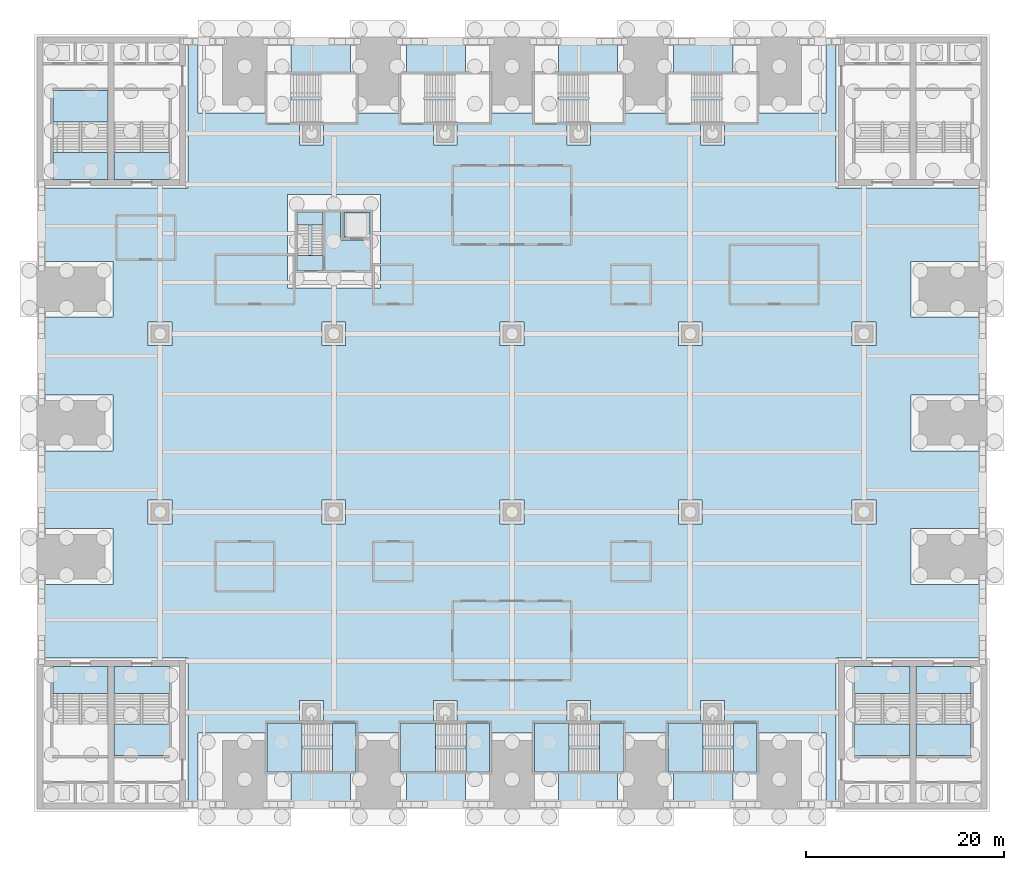
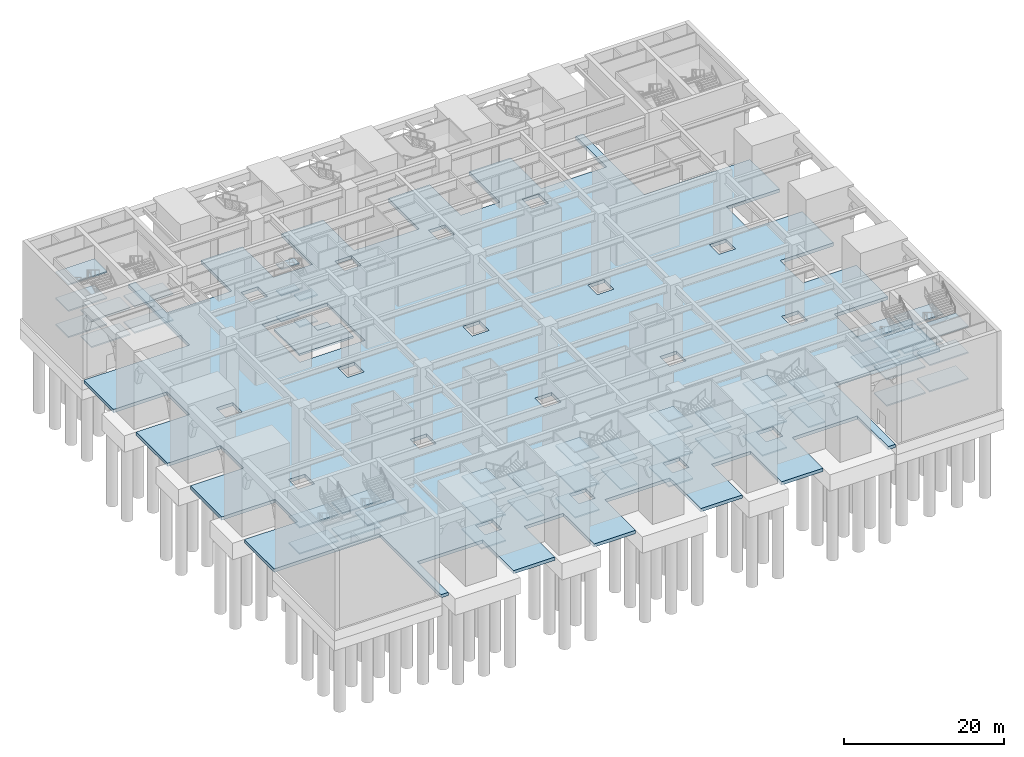
# One storey, part 5 of 34: 50 slabs, 11 elements without a shape of their own.
"""IFC4 building model written with IfcOpenShell, lengths in metres."""

import ifcopenshell
import ifcopenshell.guid

model = None  # the IFC model being written
_history = None  # IfcOwnerHistory: only IFC2X3 demands one
_inside = {}  # id of a spatial element -> (the spatial element, [elements in it])
_under = {}  # id of a project, library or spatial element -> (it, [spatial elements below it])
_declared = {}  # id of a project -> (the project, [libraries it declares])
_typed = {}  # id of a type object -> (the type object, [elements of that type])
_made_of = {}  # id of a material, layer set ... -> (it, [elements and type objects made of it])


def new_model(schema):
    """Start an empty IFC model of exactly this schema.

    Asked for "IFC4X3", IfcOpenShell would pick the latest addendum, in which some entities
    have other attributes; the version numbers below select the first issue.
    IFC2X3 requires an IfcOwnerHistory on every rooted entity: one is made here for all.
    """
    global model, _history
    if schema == "IFC4X3":
        model = ifcopenshell.file(schema_version=(4, 3, 0, 0))
    else:
        model = ifcopenshell.file(schema=schema)
    _inside.clear()
    _under.clear()
    _declared.clear()
    _typed.clear()
    _made_of.clear()
    _history = None
    if model.schema == "IFC2X3":
        org = make("IfcOrganization", Name="unknown")
        user = make(
            "IfcPersonAndOrganization",
            ThePerson=make("IfcPerson", FamilyName="unknown"),
            TheOrganization=org,
        )
        app = make(
            "IfcApplication",
            ApplicationDeveloper=org,
            Version="unknown",
            ApplicationFullName="unknown",
            ApplicationIdentifier="unknown",
        )
        _history = make(
            "IfcOwnerHistory",
            OwningUser=user,
            OwningApplication=app,
            ChangeAction="ADDED",
            CreationDate=0,
        )
    return model


def make(cls, **values):
    """One entity of the class cls with the attributes given. An attribute that is None is left unset."""
    return model.create_entity(
        cls, **{name: value for name, value in values.items() if value is not None}
    )


def rooted(cls, **values):
    """An entity with a GlobalId (a new one), such as an element, a storey or a relation."""
    return make(cls, GlobalId=ifcopenshell.guid.new(), OwnerHistory=_history, **values)


def si_unit(unit_type, name, prefix=None):
    """IfcSIUnit, for example si_unit("LENGTHUNIT", "METRE", prefix="MILLI")."""
    return make("IfcSIUnit", UnitType=unit_type, Prefix=prefix, Name=name)


def assignment(units):
    """IfcUnitAssignment: the units of a project."""
    return None if units is None else make("IfcUnitAssignment", Units=units)


def point(xyz):
    """IfcCartesianPoint."""
    return None if xyz is None else make("IfcCartesianPoint", Coordinates=xyz)


def direction(xyz):
    """IfcDirection."""
    return None if xyz is None else make("IfcDirection", DirectionRatios=xyz)


def frame(location, z_axis=None, x_axis=None):
    """IfcAxis2Placement3D, a coordinate frame: its origin and axes. An axis left out is left unset."""
    return make(
        "IfcAxis2Placement3D",
        Location=point(location),
        Axis=direction(z_axis),
        RefDirection=direction(x_axis),
    )


def origin():
    """The frame at (0, 0, 0) with its axes left unset."""
    return frame((0.0, 0.0, 0.0))


def place(relative_to, where):
    """IfcLocalPlacement: puts the frame where relative to a parent placement (None: the world)."""
    return make(
        "IfcLocalPlacement", PlacementRelTo=relative_to, RelativePlacement=where
    )


def context(
    kind, dimensions, precision=None, world=None, true_north=None, identifier=None
):
    """IfcGeometricRepresentationContext, for example the 3D "Model" context."""
    return make(
        "IfcGeometricRepresentationContext",
        ContextIdentifier=identifier,
        ContextType=kind,
        CoordinateSpaceDimension=dimensions,
        Precision=precision,
        WorldCoordinateSystem=world,
        TrueNorth=true_north,
    )


def subcontext(parent, identifier, kind, view, scale=None):
    """IfcGeometricRepresentationSubContext, for example "Body" below "Model"."""
    return make(
        "IfcGeometricRepresentationSubContext",
        ContextIdentifier=identifier,
        ContextType=kind,
        ParentContext=parent,
        TargetScale=scale,
        TargetView=view,
    )


def project(units=None, contexts=None):
    """IfcProject with its units and contexts."""
    return rooted(
        "IfcProject",
        Name="project",
        RepresentationContexts=contexts,
        UnitsInContext=assignment(units),
    )


def spatial(cls, under=None, at=None, **own):
    """A site, building, storey or space (cls), placed at a placement, below another one or the project."""
    s = rooted(cls, ObjectPlacement=at, **own)
    if under is not None:
        _under.setdefault(under.id(), (under, []))[1].append(s)
    return s


def polyline(points):
    """IfcPolyline through the points."""
    return make("IfcPolyline", Points=[point(p) for p in points])


def outline(outer, holes=None, kind="AREA"):
    """IfcArbitraryClosedProfileDef: a profile drawn as a closed curve; with holes, ...WithVoids."""
    if holes is None:
        return make("IfcArbitraryClosedProfileDef", ProfileType=kind, OuterCurve=outer)
    return make(
        "IfcArbitraryProfileDefWithVoids",
        ProfileType=kind,
        OuterCurve=outer,
        InnerCurves=holes,
    )


def extrude(swept, where, along, depth):
    """IfcExtrudedAreaSolid: the profile swept, set in the frame where, extruded along a direction by depth."""
    return make(
        "IfcExtrudedAreaSolid",
        SweptArea=swept,
        Position=where,
        ExtrudedDirection=direction(along),
        Depth=depth,
    )


def shape(context_of_items, identifier, shape_type, items):
    """IfcShapeRepresentation: the items that make up one representation, for example the "Body"."""
    return make(
        "IfcShapeRepresentation",
        ContextOfItems=context_of_items,
        RepresentationIdentifier=identifier,
        RepresentationType=shape_type,
        Items=items,
    )


def material(Name=None, Category=None):
    """IfcMaterial."""
    return make("IfcMaterial", Name=Name, Category=Category)


def layer(
    of_material, thickness, ventilated=None, Name=None, Category=None, Priority=None
):
    """IfcMaterialLayer: one layer of a wall or slab, of a material (None: an air gap)."""
    return make(
        "IfcMaterialLayer",
        Material=of_material,
        LayerThickness=thickness,
        IsVentilated=ventilated,
        Name=Name,
        Category=Category,
        Priority=Priority,
    )


def layer_set(layers, Name=None):
    """IfcMaterialLayerSet."""
    return make("IfcMaterialLayerSet", MaterialLayers=layers, LayerSetName=Name)


def made_of(thing, what):
    """Note that an element or type object is made of a material, layer set ...; save() writes the relation."""
    if what is not None:
        _made_of.setdefault(what.id(), (what, []))[1].append(thing)
    return thing


def type_object(cls, material=None, **own):
    """A type object (cls), such as IfcWallType, which elements share."""
    return made_of(rooted(cls, **own), material)


def element(
    cls,
    number,
    at=None,
    inside=None,
    cuts=None,
    type_object=None,
    material=None,
    context=None,
    identifier="Body",
    shape_type=None,
    held_by="IfcProductDefinitionShape",
    body=None,
    shapes=None,
    **own,
):
    """One element of the class cls, such as IfcWall. Its Tag is "e" and its number.

    at: its placement. inside: the storey or other place that contains it. cuts: it is an
    opening in that element (IfcRelVoidsElement). A single representation is given by context,
    identifier, shape_type and body (its items); several are given by shapes. held_by: the class
    of the entity that holds the representations. save() writes the other relations.
    """
    e = rooted(cls, Tag="e%d" % number, ObjectPlacement=at, **own)
    if body is not None:
        shapes = [shape(context, identifier, shape_type, body)]
    if shapes is not None:
        e.Representation = make(held_by, Representations=shapes)
    if inside is not None:
        _inside.setdefault(inside.id(), (inside, []))[1].append(e)
    if cuts is not None:
        rooted(
            "IfcRelVoidsElement", RelatingBuildingElement=cuts, RelatedOpeningElement=e
        )
    if type_object is not None:
        _typed.setdefault(type_object.id(), (type_object, []))[1].append(e)
    return made_of(e, material)


def aggregate(whole, parts):
    """IfcRelAggregates: a whole, such as a stair, and the parts it consists of."""
    return rooted("IfcRelAggregates", RelatingObject=whole, RelatedObjects=parts)


def save(model, path):
    """Write the relations noted so far, then the file.

    IfcRelAggregates (storeys below a building ...), IfcRelContainedInSpatialStructure (elements
    in a storey), IfcRelDefinesByType, IfcRelAssociatesMaterial and IfcRelDeclares: one each for
    every whole, place, type object, material and project.
    """
    for whole, parts in _under.values():
        aggregate(whole, parts)
    for where, things in _inside.values():
        rooted(
            "IfcRelContainedInSpatialStructure",
            RelatedElements=things,
            RelatingStructure=where,
        )
    for kind, things in _typed.values():
        rooted("IfcRelDefinesByType", RelatedObjects=things, RelatingType=kind)
    for what, things in _made_of.values():
        rooted("IfcRelAssociatesMaterial", RelatedObjects=things, RelatingMaterial=what)
    for by, libraries in _declared.values():
        rooted("IfcRelDeclares", RelatingContext=by, RelatedDefinitions=libraries)
    model.write(path)


model = new_model("IFC4")

# Units and contexts
model_context = context("Model", 3, precision=1e-05, world=origin(), true_north=direction((0.0, 1.0)))
body_context = subcontext(model_context, "Body", "Model", "MODEL_VIEW")
ifc_project = project(units=[si_unit("LENGTHUNIT", "METRE"), si_unit("AREAUNIT", "SQUARE_METRE"), si_unit("VOLUMEUNIT", "CUBIC_METRE"), si_unit("PLANEANGLEUNIT", "RADIAN"), si_unit("MASSUNIT", "GRAM", prefix="KILO")], contexts=[model_context])

# Site, building, storey
site_placement = place(None, origin())
site = spatial("IfcSite", under=ifc_project, at=site_placement, CompositionType="ELEMENT")
building_placement = place(site_placement, origin())
building = spatial("IfcBuilding", under=site, at=building_placement, Name="Corbelhall Arena Tower", CompositionType="ELEMENT")
storey_placement = place(building_placement, origin())
storey = spatial("IfcBuildingStorey", under=building, at=storey_placement, Name="L00", CompositionType="ELEMENT", Elevation=0.0)

# Stair, slabs
ifc_material_1 = material(Name="Reinforced concrete C40/50", Category="concrete")
stair_type_1 = type_object("IfcStairType", Name="AR-EXIT-STAIR", PredefinedType="HALF_TURN_STAIR", material=ifc_material_1)
stair_1_placement = place(storey_placement, origin())
stair_1 = element("IfcStair", 1, at=stair_1_placement, inside=storey, type_object=stair_type_1, Name="L00 exit stair AS13", PredefinedType="HALF_TURN_STAIR")
ifc_layer_1 = layer(ifc_material_1, 0.199951171875)
ifc_layer_set_1 = layer_set([ifc_layer_1], Name="AR-EXIT-LANDING")
slab_type_1 = type_object("IfcSlabType", Name="AR-EXIT-LANDING", PredefinedType="LANDING", material=ifc_layer_set_1)
slab_1_placement = place(storey_placement, frame((0.0, 0.0, 1.800048828125)))
slab_1 = element("IfcSlab", 2, at=slab_1_placement, type_object=slab_type_1, Name="AS13 landing 1", PredefinedType="LANDING", context=body_context, shape_type="SweptSolid", body=[
    extrude(outline(polyline([(-21.22998046875, -30.300048828125), (-24.75, -30.300048828125), (-24.75, -35.25), (-21.22998046875, -35.25), (-21.22998046875, -30.300048828125)])), origin(), (0.0, 0.0, 1.0), 0.199951171875),
])
slab_2_placement = place(storey_placement, frame((0.0, 0.0, 3.800048828125)))
slab_2 = element("IfcSlab", 3, at=slab_2_placement, type_object=slab_type_1, Name="AS13 landing 2", PredefinedType="LANDING", context=body_context, shape_type="SweptSolid", body=[
    extrude(outline(polyline([(-15.75, -30.300048828125), (-18.14990234375, -30.300048828125), (-18.14990234375, -35.25), (-15.75, -35.25), (-15.75, -30.300048828125)])), origin(), (0.0, 0.0, 1.0), 0.199951171875),
])
slab_3_placement = place(storey_placement, frame((0.0, 0.0, 5.800048828125)))
slab_3 = element("IfcSlab", 4, at=slab_3_placement, type_object=slab_type_1, Name="AS13 landing 3", PredefinedType="LANDING", context=body_context, shape_type="SweptSolid", body=[
    extrude(outline(polyline([(-21.22998046875, -30.300048828125), (-24.75, -30.300048828125), (-24.75, -35.25), (-21.22998046875, -35.25), (-21.22998046875, -30.300048828125)])), origin(), (0.0, 0.0, 1.0), 0.199951171875),
])
slab_4_placement = place(storey_placement, frame((0.0, 0.0, 7.800048828125)))
slab_4 = element("IfcSlab", 5, at=slab_4_placement, type_object=slab_type_1, Name="AS13 landing 4", PredefinedType="LANDING", context=body_context, shape_type="SweptSolid", body=[
    extrude(outline(polyline([(-15.75, -30.300048828125), (-18.14990234375, -30.300048828125), (-18.14990234375, -35.25), (-15.75, -35.25), (-15.75, -30.300048828125)])), origin(), (0.0, 0.0, 1.0), 0.199951171875),
])
slab_5_placement = place(storey_placement, frame((0.0, 0.0, 9.800048828125)))
slab_5 = element("IfcSlab", 6, at=slab_5_placement, type_object=slab_type_1, Name="AS13 landing 5", PredefinedType="LANDING", context=body_context, shape_type="SweptSolid", body=[
    extrude(outline(polyline([(-21.22998046875, -30.300048828125), (-24.75, -30.300048828125), (-24.75, -35.25), (-21.22998046875, -35.25), (-21.22998046875, -30.300048828125)])), origin(), (0.0, 0.0, 1.0), 0.199951171875),
])
aggregate(stair_1, [slab_1, slab_2, slab_3, slab_4, slab_5])

stair_2_placement = place(storey_placement, origin())
stair_2 = element("IfcStair", 7, at=stair_2_placement, inside=storey, type_object=stair_type_1, Name="L00 exit stair AS14", PredefinedType="HALF_TURN_STAIR")
slab_6_placement = place(storey_placement, frame((0.0, 0.0, 1.800048828125)))
slab_6 = element("IfcSlab", 8, at=slab_6_placement, type_object=slab_type_1, Name="AS14 landing 1", PredefinedType="LANDING", context=body_context, shape_type="SweptSolid", body=[
    extrude(outline(polyline([(-7.72998046875, -30.300048828125), (-11.25, -30.300048828125), (-11.25, -35.25), (-7.72998046875, -35.25), (-7.72998046875, -30.300048828125)])), origin(), (0.0, 0.0, 1.0), 0.199951171875),
])
slab_7_placement = place(storey_placement, frame((0.0, 0.0, 3.800048828125)))
slab_7 = element("IfcSlab", 9, at=slab_7_placement, type_object=slab_type_1, Name="AS14 landing 2", PredefinedType="LANDING", context=body_context, shape_type="SweptSolid", body=[
    extrude(outline(polyline([(-2.25, -30.300048828125), (-4.64990234375, -30.300048828125), (-4.64990234375, -35.25), (-2.25, -35.25), (-2.25, -30.300048828125)])), origin(), (0.0, 0.0, 1.0), 0.199951171875),
])
slab_8_placement = place(storey_placement, frame((0.0, 0.0, 5.800048828125)))
slab_8 = element("IfcSlab", 10, at=slab_8_placement, type_object=slab_type_1, Name="AS14 landing 3", PredefinedType="LANDING", context=body_context, shape_type="SweptSolid", body=[
    extrude(outline(polyline([(-7.72998046875, -30.300048828125), (-11.25, -30.300048828125), (-11.25, -35.25), (-7.72998046875, -35.25), (-7.72998046875, -30.300048828125)])), origin(), (0.0, 0.0, 1.0), 0.199951171875),
])
slab_9_placement = place(storey_placement, frame((0.0, 0.0, 7.800048828125)))
slab_9 = element("IfcSlab", 11, at=slab_9_placement, type_object=slab_type_1, Name="AS14 landing 4", PredefinedType="LANDING", context=body_context, shape_type="SweptSolid", body=[
    extrude(outline(polyline([(-2.25, -30.300048828125), (-4.64990234375, -30.300048828125), (-4.64990234375, -35.25), (-2.25, -35.25), (-2.25, -30.300048828125)])), origin(), (0.0, 0.0, 1.0), 0.199951171875),
])
slab_10_placement = place(storey_placement, frame((0.0, 0.0, 9.800048828125)))
slab_10 = element("IfcSlab", 12, at=slab_10_placement, type_object=slab_type_1, Name="AS14 landing 5", PredefinedType="LANDING", context=body_context, shape_type="SweptSolid", body=[
    extrude(outline(polyline([(-7.72998046875, -30.300048828125), (-11.25, -30.300048828125), (-11.25, -35.25), (-7.72998046875, -35.25), (-7.72998046875, -30.300048828125)])), origin(), (0.0, 0.0, 1.0), 0.199951171875),
])
aggregate(stair_2, [slab_6, slab_7, slab_8, slab_9, slab_10])

stair_3_placement = place(storey_placement, origin())
stair_3 = element("IfcStair", 13, at=stair_3_placement, inside=storey, type_object=stair_type_1, Name="L00 exit stair AS15", PredefinedType="HALF_TURN_STAIR")
slab_11_placement = place(storey_placement, frame((0.0, 0.0, 1.800048828125)))
slab_11 = element("IfcSlab", 14, at=slab_11_placement, type_object=slab_type_1, Name="AS15 landing 1", PredefinedType="LANDING", context=body_context, shape_type="SweptSolid", body=[
    extrude(outline(polyline([(5.77001953125, -30.300048828125), (2.25, -30.300048828125), (2.25, -35.25), (5.77001953125, -35.25), (5.77001953125, -30.300048828125)])), origin(), (0.0, 0.0, 1.0), 0.199951171875),
])
slab_12_placement = place(storey_placement, frame((0.0, 0.0, 3.800048828125)))
slab_12 = element("IfcSlab", 15, at=slab_12_placement, type_object=slab_type_1, Name="AS15 landing 2", PredefinedType="LANDING", context=body_context, shape_type="SweptSolid", body=[
    extrude(outline(polyline([(11.25, -30.300048828125), (8.85009765625, -30.300048828125), (8.85009765625, -35.25), (11.25, -35.25), (11.25, -30.300048828125)])), origin(), (0.0, 0.0, 1.0), 0.199951171875),
])
slab_13_placement = place(storey_placement, frame((0.0, 0.0, 5.800048828125)))
slab_13 = element("IfcSlab", 16, at=slab_13_placement, type_object=slab_type_1, Name="AS15 landing 3", PredefinedType="LANDING", context=body_context, shape_type="SweptSolid", body=[
    extrude(outline(polyline([(5.77001953125, -30.300048828125), (2.25, -30.300048828125), (2.25, -35.25), (5.77001953125, -35.25), (5.77001953125, -30.300048828125)])), origin(), (0.0, 0.0, 1.0), 0.199951171875),
])
slab_14_placement = place(storey_placement, frame((0.0, 0.0, 7.800048828125)))
slab_14 = element("IfcSlab", 17, at=slab_14_placement, type_object=slab_type_1, Name="AS15 landing 4", PredefinedType="LANDING", context=body_context, shape_type="SweptSolid", body=[
    extrude(outline(polyline([(11.25, -30.300048828125), (8.85009765625, -30.300048828125), (8.85009765625, -35.25), (11.25, -35.25), (11.25, -30.300048828125)])), origin(), (0.0, 0.0, 1.0), 0.199951171875),
])
slab_15_placement = place(storey_placement, frame((0.0, 0.0, 9.800048828125)))
slab_15 = element("IfcSlab", 18, at=slab_15_placement, type_object=slab_type_1, Name="AS15 landing 5", PredefinedType="LANDING", context=body_context, shape_type="SweptSolid", body=[
    extrude(outline(polyline([(5.77001953125, -30.300048828125), (2.25, -30.300048828125), (2.25, -35.25), (5.77001953125, -35.25), (5.77001953125, -30.300048828125)])), origin(), (0.0, 0.0, 1.0), 0.199951171875),
])
aggregate(stair_3, [slab_11, slab_12, slab_13, slab_14, slab_15])

stair_4_placement = place(storey_placement, origin())
stair_4 = element("IfcStair", 19, at=stair_4_placement, inside=storey, type_object=stair_type_1, Name="L00 exit stair AS16", PredefinedType="HALF_TURN_STAIR")
slab_16_placement = place(storey_placement, frame((0.0, 0.0, 1.800048828125)))
slab_16 = element("IfcSlab", 20, at=slab_16_placement, type_object=slab_type_1, Name="AS16 landing 1", PredefinedType="LANDING", context=body_context, shape_type="SweptSolid", body=[
    extrude(outline(polyline([(19.27001953125, -30.300048828125), (15.75, -30.300048828125), (15.75, -35.25), (19.27001953125, -35.25), (19.27001953125, -30.300048828125)])), origin(), (0.0, 0.0, 1.0), 0.199951171875),
])
slab_17_placement = place(storey_placement, frame((0.0, 0.0, 3.800048828125)))
slab_17 = element("IfcSlab", 21, at=slab_17_placement, type_object=slab_type_1, Name="AS16 landing 2", PredefinedType="LANDING", context=body_context, shape_type="SweptSolid", body=[
    extrude(outline(polyline([(24.75, -30.300048828125), (22.35009765625, -30.300048828125), (22.35009765625, -35.25), (24.75, -35.25), (24.75, -30.300048828125)])), origin(), (0.0, 0.0, 1.0), 0.199951171875),
])
slab_18_placement = place(storey_placement, frame((0.0, 0.0, 5.800048828125)))
slab_18 = element("IfcSlab", 22, at=slab_18_placement, type_object=slab_type_1, Name="AS16 landing 3", PredefinedType="LANDING", context=body_context, shape_type="SweptSolid", body=[
    extrude(outline(polyline([(19.27001953125, -30.300048828125), (15.75, -30.300048828125), (15.75, -35.25), (19.27001953125, -35.25), (19.27001953125, -30.300048828125)])), origin(), (0.0, 0.0, 1.0), 0.199951171875),
])
slab_19_placement = place(storey_placement, frame((0.0, 0.0, 7.800048828125)))
slab_19 = element("IfcSlab", 23, at=slab_19_placement, type_object=slab_type_1, Name="AS16 landing 4", PredefinedType="LANDING", context=body_context, shape_type="SweptSolid", body=[
    extrude(outline(polyline([(24.75, -30.300048828125), (22.35009765625, -30.300048828125), (22.35009765625, -35.25), (24.75, -35.25), (24.75, -30.300048828125)])), origin(), (0.0, 0.0, 1.0), 0.199951171875),
])
slab_20_placement = place(storey_placement, frame((0.0, 0.0, 9.800048828125)))
slab_20 = element("IfcSlab", 24, at=slab_20_placement, type_object=slab_type_1, Name="AS16 landing 5", PredefinedType="LANDING", context=body_context, shape_type="SweptSolid", body=[
    extrude(outline(polyline([(19.27001953125, -30.300048828125), (15.75, -30.300048828125), (15.75, -35.25), (19.27001953125, -35.25), (19.27001953125, -30.300048828125)])), origin(), (0.0, 0.0, 1.0), 0.199951171875),
])
aggregate(stair_4, [slab_16, slab_17, slab_18, slab_19, slab_20])

stair_5_placement = place(storey_placement, origin())
stair_5 = element("IfcStair", 25, at=stair_5_placement, inside=storey, type_object=stair_type_1, Name="L00 exit stair AS3", PredefinedType="HALF_TURN_STAIR")
slab_21_placement = place(storey_placement, frame((0.0, 0.0, 3.800048828125)))
slab_21 = element("IfcSlab", 26, at=slab_21_placement, type_object=slab_type_1, Name="AS3 landing 2", PredefinedType="LANDING", context=body_context, shape_type="SweptSolid", body=[
    extrude(outline(polyline([(-34.610107421875, 24.60009765625), (-34.610107421875, 27.320068359375), (-40.199951171875, 27.320068359375), (-40.199951171875, 24.60009765625), (-34.610107421875, 24.60009765625)])), origin(), (0.0, 0.0, 1.0), 0.199951171875),
])
slab_22_placement = place(storey_placement, frame((0.0, 0.0, 7.800048828125)))
slab_22 = element("IfcSlab", 27, at=slab_22_placement, type_object=slab_type_1, Name="AS3 landing 4", PredefinedType="LANDING", context=body_context, shape_type="SweptSolid", body=[
    extrude(outline(polyline([(-34.610107421875, 24.60009765625), (-34.610107421875, 27.320068359375), (-40.199951171875, 27.320068359375), (-40.199951171875, 24.60009765625), (-34.610107421875, 24.60009765625)])), origin(), (0.0, 0.0, 1.0), 0.199951171875),
])
aggregate(stair_5, [slab_21, slab_22])

stair_6_placement = place(storey_placement, origin())
stair_6 = element("IfcStair", 28, at=stair_6_placement, inside=storey, type_object=stair_type_1, Name="L00 exit stair AS4", PredefinedType="HALF_TURN_STAIR")
slab_23_placement = place(storey_placement, frame((0.0, 0.0, 1.800048828125)))
slab_23 = element("IfcSlab", 29, at=slab_23_placement, type_object=slab_type_1, Name="AS4 landing 1", PredefinedType="LANDING", context=body_context, shape_type="SweptSolid", body=[
    extrude(outline(polyline([(-40.800048828125, 30.39990234375), (-40.800048828125, 33.60009765625), (-46.389892578125, 33.60009765625), (-46.389892578125, 30.39990234375), (-40.800048828125, 30.39990234375)])), origin(), (0.0, 0.0, 1.0), 0.199951171875),
])
slab_24_placement = place(storey_placement, frame((0.0, 0.0, 3.800048828125)))
slab_24 = element("IfcSlab", 30, at=slab_24_placement, type_object=slab_type_1, Name="AS4 landing 2", PredefinedType="LANDING", context=body_context, shape_type="SweptSolid", body=[
    extrude(outline(polyline([(-40.800048828125, 24.60009765625), (-40.800048828125, 27.320068359375), (-46.389892578125, 27.320068359375), (-46.389892578125, 24.60009765625), (-40.800048828125, 24.60009765625)])), origin(), (0.0, 0.0, 1.0), 0.199951171875),
])
slab_25_placement = place(storey_placement, frame((0.0, 0.0, 5.800048828125)))
slab_25 = element("IfcSlab", 31, at=slab_25_placement, type_object=slab_type_1, Name="AS4 landing 3", PredefinedType="LANDING", context=body_context, shape_type="SweptSolid", body=[
    extrude(outline(polyline([(-40.800048828125, 30.39990234375), (-40.800048828125, 33.60009765625), (-46.389892578125, 33.60009765625), (-46.389892578125, 30.39990234375), (-40.800048828125, 30.39990234375)])), origin(), (0.0, 0.0, 1.0), 0.199951171875),
])
slab_26_placement = place(storey_placement, frame((0.0, 0.0, 7.800048828125)))
slab_26 = element("IfcSlab", 32, at=slab_26_placement, type_object=slab_type_1, Name="AS4 landing 4", PredefinedType="LANDING", context=body_context, shape_type="SweptSolid", body=[
    extrude(outline(polyline([(-40.800048828125, 24.60009765625), (-40.800048828125, 27.320068359375), (-46.389892578125, 27.320068359375), (-46.389892578125, 24.60009765625), (-40.800048828125, 24.60009765625)])), origin(), (0.0, 0.0, 1.0), 0.199951171875),
])
slab_27_placement = place(storey_placement, frame((0.0, 0.0, 9.800048828125)))
slab_27 = element("IfcSlab", 33, at=slab_27_placement, type_object=slab_type_1, Name="AS4 landing 5", PredefinedType="LANDING", context=body_context, shape_type="SweptSolid", body=[
    extrude(outline(polyline([(-40.800048828125, 30.39990234375), (-40.800048828125, 33.60009765625), (-46.389892578125, 33.60009765625), (-46.389892578125, 30.39990234375), (-40.800048828125, 30.39990234375)])), origin(), (0.0, 0.0, 1.0), 0.199951171875),
])
aggregate(stair_6, [slab_23, slab_24, slab_25, slab_26, slab_27])

stair_7_placement = place(storey_placement, origin())
stair_7 = element("IfcStair", 34, at=stair_7_placement, inside=storey, type_object=stair_type_1, Name="L00 exit stair AS5", PredefinedType="HALF_TURN_STAIR")
slab_28_placement = place(storey_placement, frame((0.0, 0.0, 1.800048828125)))
slab_28 = element("IfcSlab", 35, at=slab_28_placement, type_object=slab_type_1, Name="AS5 landing 1", PredefinedType="LANDING", context=body_context, shape_type="SweptSolid", body=[
    extrude(outline(polyline([(34.610107421875, -30.39990234375), (34.610107421875, -33.60009765625), (40.199951171875, -33.60009765625), (40.199951171875, -30.39990234375), (34.610107421875, -30.39990234375)])), origin(), (0.0, 0.0, 1.0), 0.199951171875),
])
slab_29_placement = place(storey_placement, frame((0.0, 0.0, 3.800048828125)))
slab_29 = element("IfcSlab", 36, at=slab_29_placement, type_object=slab_type_1, Name="AS5 landing 2", PredefinedType="LANDING", context=body_context, shape_type="SweptSolid", body=[
    extrude(outline(polyline([(34.610107421875, -24.60009765625), (34.610107421875, -27.320068359375), (40.199951171875, -27.320068359375), (40.199951171875, -24.60009765625), (34.610107421875, -24.60009765625)])), origin(), (0.0, 0.0, 1.0), 0.199951171875),
])
slab_30_placement = place(storey_placement, frame((0.0, 0.0, 5.800048828125)))
slab_30 = element("IfcSlab", 37, at=slab_30_placement, type_object=slab_type_1, Name="AS5 landing 3", PredefinedType="LANDING", context=body_context, shape_type="SweptSolid", body=[
    extrude(outline(polyline([(34.610107421875, -30.39990234375), (34.610107421875, -33.60009765625), (40.199951171875, -33.60009765625), (40.199951171875, -30.39990234375), (34.610107421875, -30.39990234375)])), origin(), (0.0, 0.0, 1.0), 0.199951171875),
])
slab_31_placement = place(storey_placement, frame((0.0, 0.0, 7.800048828125)))
slab_31 = element("IfcSlab", 38, at=slab_31_placement, type_object=slab_type_1, Name="AS5 landing 4", PredefinedType="LANDING", context=body_context, shape_type="SweptSolid", body=[
    extrude(outline(polyline([(34.610107421875, -24.60009765625), (34.610107421875, -27.320068359375), (40.199951171875, -27.320068359375), (40.199951171875, -24.60009765625), (34.610107421875, -24.60009765625)])), origin(), (0.0, 0.0, 1.0), 0.199951171875),
])
slab_32_placement = place(storey_placement, frame((0.0, 0.0, 9.800048828125)))
slab_32 = element("IfcSlab", 39, at=slab_32_placement, type_object=slab_type_1, Name="AS5 landing 5", PredefinedType="LANDING", context=body_context, shape_type="SweptSolid", body=[
    extrude(outline(polyline([(34.610107421875, -30.39990234375), (34.610107421875, -33.60009765625), (40.199951171875, -33.60009765625), (40.199951171875, -30.39990234375), (34.610107421875, -30.39990234375)])), origin(), (0.0, 0.0, 1.0), 0.199951171875),
])
aggregate(stair_7, [slab_28, slab_29, slab_30, slab_31, slab_32])

stair_8_placement = place(storey_placement, origin())
stair_8 = element("IfcStair", 40, at=stair_8_placement, inside=storey, type_object=stair_type_1, Name="L00 exit stair AS6", PredefinedType="HALF_TURN_STAIR")
slab_33_placement = place(storey_placement, frame((0.0, 0.0, 1.800048828125)))
slab_33 = element("IfcSlab", 41, at=slab_33_placement, type_object=slab_type_1, Name="AS6 landing 1", PredefinedType="LANDING", context=body_context, shape_type="SweptSolid", body=[
    extrude(outline(polyline([(40.800048828125, -30.39990234375), (40.800048828125, -33.60009765625), (46.389892578125, -33.60009765625), (46.389892578125, -30.39990234375), (40.800048828125, -30.39990234375)])), origin(), (0.0, 0.0, 1.0), 0.199951171875),
])
slab_34_placement = place(storey_placement, frame((0.0, 0.0, 3.800048828125)))
slab_34 = element("IfcSlab", 42, at=slab_34_placement, type_object=slab_type_1, Name="AS6 landing 2", PredefinedType="LANDING", context=body_context, shape_type="SweptSolid", body=[
    extrude(outline(polyline([(40.800048828125, -24.60009765625), (40.800048828125, -27.320068359375), (46.389892578125, -27.320068359375), (46.389892578125, -24.60009765625), (40.800048828125, -24.60009765625)])), origin(), (0.0, 0.0, 1.0), 0.199951171875),
])
slab_35_placement = place(storey_placement, frame((0.0, 0.0, 5.800048828125)))
slab_35 = element("IfcSlab", 43, at=slab_35_placement, type_object=slab_type_1, Name="AS6 landing 3", PredefinedType="LANDING", context=body_context, shape_type="SweptSolid", body=[
    extrude(outline(polyline([(40.800048828125, -30.39990234375), (40.800048828125, -33.60009765625), (46.389892578125, -33.60009765625), (46.389892578125, -30.39990234375), (40.800048828125, -30.39990234375)])), origin(), (0.0, 0.0, 1.0), 0.199951171875),
])
slab_36_placement = place(storey_placement, frame((0.0, 0.0, 7.800048828125)))
slab_36 = element("IfcSlab", 44, at=slab_36_placement, type_object=slab_type_1, Name="AS6 landing 4", PredefinedType="LANDING", context=body_context, shape_type="SweptSolid", body=[
    extrude(outline(polyline([(40.800048828125, -24.60009765625), (40.800048828125, -27.320068359375), (46.389892578125, -27.320068359375), (46.389892578125, -24.60009765625), (40.800048828125, -24.60009765625)])), origin(), (0.0, 0.0, 1.0), 0.199951171875),
])
slab_37_placement = place(storey_placement, frame((0.0, 0.0, 9.800048828125)))
slab_37 = element("IfcSlab", 45, at=slab_37_placement, type_object=slab_type_1, Name="AS6 landing 5", PredefinedType="LANDING", context=body_context, shape_type="SweptSolid", body=[
    extrude(outline(polyline([(40.800048828125, -30.39990234375), (40.800048828125, -33.60009765625), (46.389892578125, -33.60009765625), (46.389892578125, -30.39990234375), (40.800048828125, -30.39990234375)])), origin(), (0.0, 0.0, 1.0), 0.199951171875),
])
aggregate(stair_8, [slab_33, slab_34, slab_35, slab_36, slab_37])

stair_9_placement = place(storey_placement, origin())
stair_9 = element("IfcStair", 46, at=stair_9_placement, inside=storey, type_object=stair_type_1, Name="L00 exit stair AS7", PredefinedType="HALF_TURN_STAIR")
slab_38_placement = place(storey_placement, frame((0.0, 0.0, 3.800048828125)))
slab_38 = element("IfcSlab", 47, at=slab_38_placement, type_object=slab_type_1, Name="AS7 landing 2", PredefinedType="LANDING", context=body_context, shape_type="SweptSolid", body=[
    extrude(outline(polyline([(-40.199951171875, -24.60009765625), (-40.199951171875, -27.320068359375), (-34.610107421875, -27.320068359375), (-34.610107421875, -24.60009765625), (-40.199951171875, -24.60009765625)])), origin(), (0.0, 0.0, 1.0), 0.199951171875),
])
slab_39_placement = place(storey_placement, frame((0.0, 0.0, 7.800048828125)))
slab_39 = element("IfcSlab", 48, at=slab_39_placement, type_object=slab_type_1, Name="AS7 landing 4", PredefinedType="LANDING", context=body_context, shape_type="SweptSolid", body=[
    extrude(outline(polyline([(-40.199951171875, -24.60009765625), (-40.199951171875, -27.320068359375), (-34.610107421875, -27.320068359375), (-34.610107421875, -24.60009765625), (-40.199951171875, -24.60009765625)])), origin(), (0.0, 0.0, 1.0), 0.199951171875),
])
slab_40_placement = place(storey_placement, frame((0.0, 0.0, 9.800048828125)))
slab_40 = element("IfcSlab", 49, at=slab_40_placement, type_object=slab_type_1, Name="AS7 landing 5", PredefinedType="LANDING", context=body_context, shape_type="SweptSolid", body=[
    extrude(outline(polyline([(-40.199951171875, -30.39990234375), (-40.199951171875, -33.60009765625), (-34.610107421875, -33.60009765625), (-34.610107421875, -30.39990234375), (-40.199951171875, -30.39990234375)])), origin(), (0.0, 0.0, 1.0), 0.199951171875),
])
aggregate(stair_9, [slab_38, slab_39, slab_40])

stair_10_placement = place(storey_placement, origin())
stair_10 = element("IfcStair", 50, at=stair_10_placement, inside=storey, type_object=stair_type_1, Name="L00 exit stair AS8", PredefinedType="HALF_TURN_STAIR")
slab_41_placement = place(storey_placement, frame((0.0, 0.0, 3.800048828125)))
slab_41 = element("IfcSlab", 51, at=slab_41_placement, type_object=slab_type_1, Name="AS8 landing 2", PredefinedType="LANDING", context=body_context, shape_type="SweptSolid", body=[
    extrude(outline(polyline([(-46.389892578125, -24.60009765625), (-46.389892578125, -27.320068359375), (-40.800048828125, -27.320068359375), (-40.800048828125, -24.60009765625), (-46.389892578125, -24.60009765625)])), origin(), (0.0, 0.0, 1.0), 0.199951171875),
])
slab_42_placement = place(storey_placement, frame((0.0, 0.0, 7.800048828125)))
slab_42 = element("IfcSlab", 52, at=slab_42_placement, type_object=slab_type_1, Name="AS8 landing 4", PredefinedType="LANDING", context=body_context, shape_type="SweptSolid", body=[
    extrude(outline(polyline([(-46.389892578125, -24.60009765625), (-46.389892578125, -27.320068359375), (-40.800048828125, -27.320068359375), (-40.800048828125, -24.60009765625), (-46.389892578125, -24.60009765625)])), origin(), (0.0, 0.0, 1.0), 0.199951171875),
])
aggregate(stair_10, [slab_41, slab_42])

# Slabs
ifc_material_2 = material(Name="Concrete C40/50", Category="concrete")
ifc_layer_2 = layer(ifc_material_2, 0.300048828125)
ifc_layer_set_2 = layer_set([ifc_layer_2], Name="IN-SL-EAR")
slab_type_2 = type_object("IfcSlabType", Name="IN-SL-EAR", PredefinedType="FLOOR", material=ifc_layer_set_2)
slab_43_placement = place(storey_placement, frame((0.0, 0.0, -0.300048828125)))
element("IfcSlab", 53, at=slab_43_placement, inside=storey, type_object=slab_type_2, Name="Fire service turret floor", PredefinedType="FLOOR", context=body_context, shape_type="SweptSolid", body=[
    extrude(outline(polyline([(-14.10009765625, 15.199951171875), (-14.10009765625, 18.5), (-17.300048828125, 18.5), (-17.300048828125, 21.5), (-21.89990234375, 21.5), (-21.89990234375, 15.199951171875), (-14.10009765625, 15.199951171875)])), origin(), (0.0, 0.0, 1.0), 0.300048828125),
])
slab_44_placement = place(storey_placement, frame((0.0, 0.0, -1.60009765625)))
element("IfcSlab", 54, at=slab_44_placement, inside=storey, type_object=slab_type_2, Name="Lift pit slab FS1", PredefinedType="FLOOR", context=body_context, shape_type="SweptSolid", body=[
    extrude(outline(polyline([(-14.35009765625, 18.85009765625), (-14.35009765625, 21.25), (-16.949951171875, 21.25), (-16.949951171875, 18.85009765625), (-14.35009765625, 18.85009765625)])), origin(), (0.0, 0.0, 1.0), 0.2001953125),
])

# Stair, slabs
stair_type_2 = type_object("IfcStairType", Name="IN-ST-TOWER", PredefinedType="HALF_TURN_STAIR", material=ifc_material_2)
stair_11_placement = place(storey_placement, origin())
stair_11 = element("IfcStair", 55, at=stair_11_placement, inside=storey, type_object=stair_type_2, Name="L00 Exit stair AS17", PredefinedType="HALF_TURN_STAIR")
ifc_layer_3 = layer(ifc_material_2, 0.199951171875)
ifc_layer_set_3 = layer_set([ifc_layer_3], Name="IN-SL-LANDING")
slab_type_3 = type_object("IfcSlabType", Name="IN-SL-LANDING", PredefinedType="LANDING", material=ifc_layer_set_3)
slab_45_placement = place(storey_placement, frame((0.0, 0.0, 1.800048828125)))
slab_45 = element("IfcSlab", 56, at=slab_45_placement, type_object=slab_type_3, Name="AS17 landing 1", PredefinedType="LANDING", context=body_context, shape_type="SweptSolid", body=[
    extrude(outline(polyline([(-19.094970703125, 19.97998046875), (-19.094970703125, 21.300048828125), (-21.695068359375, 21.300048828125), (-21.695068359375, 19.97998046875), (-19.094970703125, 19.97998046875)])), origin(), (0.0, 0.0, 1.0), 0.199951171875),
])
slab_46_placement = place(storey_placement, frame((0.0, 0.0, 3.800048828125)))
slab_46 = element("IfcSlab", 57, at=slab_46_placement, type_object=slab_type_3, Name="AS17 landing 2", PredefinedType="LANDING", context=body_context, shape_type="SweptSolid", body=[
    extrude(outline(polyline([(-19.094970703125, 15.39990234375), (-19.094970703125, 16.89990234375), (-21.695068359375, 16.89990234375), (-21.695068359375, 15.39990234375), (-19.094970703125, 15.39990234375)])), origin(), (0.0, 0.0, 1.0), 0.199951171875),
])
slab_47_placement = place(storey_placement, frame((0.0, 0.0, 5.800048828125)))
slab_47 = element("IfcSlab", 58, at=slab_47_placement, type_object=slab_type_3, Name="AS17 landing 3", PredefinedType="LANDING", context=body_context, shape_type="SweptSolid", body=[
    extrude(outline(polyline([(-19.094970703125, 19.97998046875), (-19.094970703125, 21.300048828125), (-21.695068359375, 21.300048828125), (-21.695068359375, 19.97998046875), (-19.094970703125, 19.97998046875)])), origin(), (0.0, 0.0, 1.0), 0.199951171875),
])
slab_48_placement = place(storey_placement, frame((0.0, 0.0, 7.800048828125)))
slab_48 = element("IfcSlab", 59, at=slab_48_placement, type_object=slab_type_3, Name="AS17 landing 4", PredefinedType="LANDING", context=body_context, shape_type="SweptSolid", body=[
    extrude(outline(polyline([(-19.094970703125, 15.39990234375), (-19.094970703125, 16.89990234375), (-21.695068359375, 16.89990234375), (-21.695068359375, 15.39990234375), (-19.094970703125, 15.39990234375)])), origin(), (0.0, 0.0, 1.0), 0.199951171875),
])
slab_49_placement = place(storey_placement, frame((0.0, 0.0, 9.800048828125)))
slab_49 = element("IfcSlab", 60, at=slab_49_placement, type_object=slab_type_3, Name="AS17 landing 5", PredefinedType="LANDING", context=body_context, shape_type="SweptSolid", body=[
    extrude(outline(polyline([(-19.094970703125, 19.97998046875), (-19.094970703125, 21.300048828125), (-21.695068359375, 21.300048828125), (-21.695068359375, 19.97998046875), (-19.094970703125, 19.97998046875)])), origin(), (0.0, 0.0, 1.0), 0.199951171875),
])
aggregate(stair_11, [slab_45, slab_46, slab_47, slab_48, slab_49])

# Slab
ifc_material_3 = material(Name="Concrete C32/40", Category="concrete")
ifc_layer_4 = layer(ifc_material_3, 0.5)
ifc_layer_set_4 = layer_set([ifc_layer_4], Name="PO-GROUND-SLAB")
slab_type_4 = type_object("IfcSlabType", Name="PO-GROUND-SLAB", PredefinedType="BASESLAB", material=ifc_layer_set_4)
slab_50_placement = place(storey_placement, frame((0.0, 0.0, -0.5)))
element("IfcSlab", 61, at=slab_50_placement, inside=storey, type_object=slab_type_4, Name="GROUND SLAB 1", PredefinedType="BASESLAB", context=body_context, shape_type="SweptSolid", body=[
    extrude(outline(polyline([(48.0, -23.75), (32.75, -23.75), (32.75, -39.0), (31.699951171875, -39.0), (31.699951171875, -31.300048828125), (22.300048828125, -31.300048828125), (22.300048828125, -39.0), (16.324951171875, -39.0), (16.324951171875, -31.300048828125), (10.675048828125, -31.300048828125), (10.675048828125, -39.0), (4.699951171875, -39.0), (4.699951171875, -31.300048828125), (-4.699951171875, -31.300048828125), (-4.699951171875, -39.0), (-10.675048828125, -39.0), (-10.675048828125, -31.300048828125), (-16.324951171875, -31.300048828125), (-16.324951171875, -39.0), (-22.300048828125, -39.0), (-22.300048828125, -31.300048828125), (-31.699951171875, -31.300048828125), (-31.699951171875, -39.0), (-32.75, -39.0), (-32.75, -23.75), (-48.0, -23.75), (-48.0, -16.324951171875), (-40.300048828125, -16.324951171875), (-40.300048828125, -10.675048828125), (-48.0, -10.675048828125), (-48.0, -2.824951171875), (-40.300048828125, -2.824951171875), (-40.300048828125, 2.824951171875), (-48.0, 2.824951171875), (-48.0, 10.675048828125), (-40.300048828125, 10.675048828125), (-40.300048828125, 16.324951171875), (-48.0, 16.324951171875), (-48.0, 23.75), (-32.75, 23.75), (-32.75, 39.0), (-31.699951171875, 39.0), (-31.699951171875, 31.300048828125), (-22.300048828125, 31.300048828125), (-22.300048828125, 39.0), (-16.324951171875, 39.0), (-16.324951171875, 31.300048828125), (-10.675048828125, 31.300048828125), (-10.675048828125, 39.0), (-4.699951171875, 39.0), (-4.699951171875, 31.300048828125), (4.699951171875, 31.300048828125), (4.699951171875, 39.0), (10.675048828125, 39.0), (10.675048828125, 31.300048828125), (16.324951171875, 31.300048828125), (16.324951171875, 39.0), (22.300048828125, 39.0), (22.300048828125, 31.300048828125), (31.699951171875, 31.300048828125), (31.699951171875, 39.0), (32.75, 39.0), (32.75, 23.75), (48.0, 23.75), (48.0, 16.324951171875), (40.300048828125, 16.324951171875), (40.300048828125, 10.675048828125), (48.0, 10.675048828125), (48.0, 2.824951171875), (40.300048828125, 2.824951171875), (40.300048828125, -2.824951171875), (48.0, -2.824951171875), (48.0, -10.675048828125), (40.300048828125, -10.675048828125), (40.300048828125, -16.324951171875), (48.0, -16.324951171875), (48.0, -23.75)]), holes=[polyline([(-5.550048828125, -30.449951171875), (-5.550048828125, -28.050048828125), (-7.949951171875, -28.050048828125), (-7.949951171875, -30.449951171875), (-5.550048828125, -30.449951171875)]), polyline([(-19.050048828125, -30.449951171875), (-19.050048828125, -28.050048828125), (-21.449951171875, -28.050048828125), (-21.449951171875, -30.449951171875), (-19.050048828125, -30.449951171875)]), polyline([(-36.75, -10.199951171875), (-34.35009765625, -10.199951171875), (-34.35009765625, -7.800048828125), (-36.75, -7.800048828125), (-36.75, -10.199951171875)]), polyline([(-19.199951171875, -10.199951171875), (-16.800048828125, -10.199951171875), (-16.800048828125, -7.800048828125), (-19.199951171875, -7.800048828125), (-19.199951171875, -10.199951171875)]), polyline([(1.199951171875, 7.800048828125), (1.199951171875, 10.199951171875), (-1.199951171875, 10.199951171875), (-1.199951171875, 7.800048828125), (1.199951171875, 7.800048828125)]), polyline([(-16.800048828125, 7.800048828125), (-16.800048828125, 10.199951171875), (-19.199951171875, 10.199951171875), (-19.199951171875, 7.800048828125), (-16.800048828125, 7.800048828125)]), polyline([(-36.75, 7.800048828125), (-34.35009765625, 7.800048828125), (-34.35009765625, 10.199951171875), (-36.75, 10.199951171875), (-36.75, 7.800048828125)]), polyline([(-13.300048828125, 13.64990234375), (-13.300048828125, 23.050048828125), (-22.699951171875, 23.050048828125), (-22.699951171875, 13.64990234375), (-13.300048828125, 13.64990234375)]), polyline([(-19.050048828125, 28.050048828125), (-19.050048828125, 30.449951171875), (-21.449951171875, 30.449951171875), (-21.449951171875, 28.050048828125), (-19.050048828125, 28.050048828125)]), polyline([(-5.550048828125, 28.050048828125), (-5.550048828125, 30.449951171875), (-7.949951171875, 30.449951171875), (-7.949951171875, 28.050048828125), (-5.550048828125, 28.050048828125)]), polyline([(5.550048828125, -30.449951171875), (7.949951171875, -30.449951171875), (7.949951171875, -28.050048828125), (5.550048828125, -28.050048828125), (5.550048828125, -30.449951171875)]), polyline([(21.449951171875, -30.449951171875), (21.449951171875, -28.050048828125), (19.050048828125, -28.050048828125), (19.050048828125, -30.449951171875), (21.449951171875, -30.449951171875)]), polyline([(19.199951171875, -10.199951171875), (19.199951171875, -7.800048828125), (16.800048828125, -7.800048828125), (16.800048828125, -10.199951171875), (19.199951171875, -10.199951171875)]), polyline([(-1.199951171875, -10.199951171875), (1.199951171875, -10.199951171875), (1.199951171875, -7.800048828125), (-1.199951171875, -7.800048828125), (-1.199951171875, -10.199951171875)]), polyline([(34.35009765625, -10.199951171875), (36.75, -10.199951171875), (36.75, -7.800048828125), (34.35009765625, -7.800048828125), (34.35009765625, -10.199951171875)]), polyline([(19.199951171875, 7.800048828125), (19.199951171875, 10.199951171875), (16.800048828125, 10.199951171875), (16.800048828125, 7.800048828125), (19.199951171875, 7.800048828125)]), polyline([(36.75, 7.800048828125), (36.75, 10.199951171875), (34.35009765625, 10.199951171875), (34.35009765625, 7.800048828125), (36.75, 7.800048828125)]), polyline([(19.050048828125, 28.050048828125), (21.449951171875, 28.050048828125), (21.449951171875, 30.449951171875), (19.050048828125, 30.449951171875), (19.050048828125, 28.050048828125)]), polyline([(7.949951171875, 28.050048828125), (7.949951171875, 30.449951171875), (5.550048828125, 30.449951171875), (5.550048828125, 28.050048828125), (7.949951171875, 28.050048828125)])]), origin(), (0.0, 0.0, 1.0), 0.5),
])

save(model, "model.ifc")
